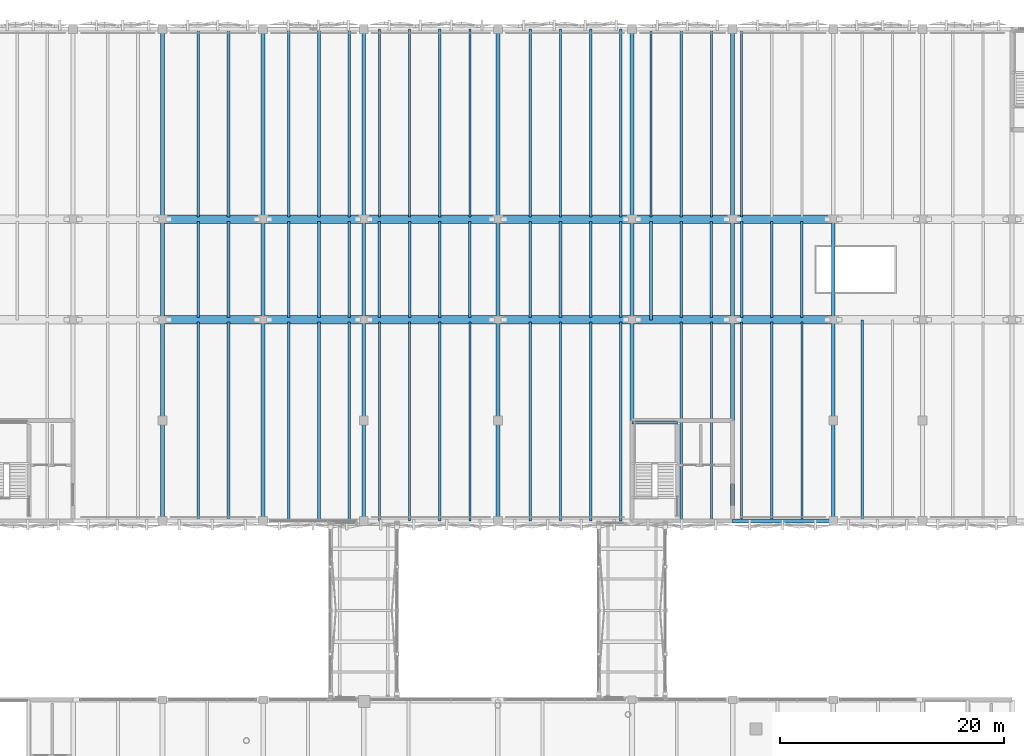
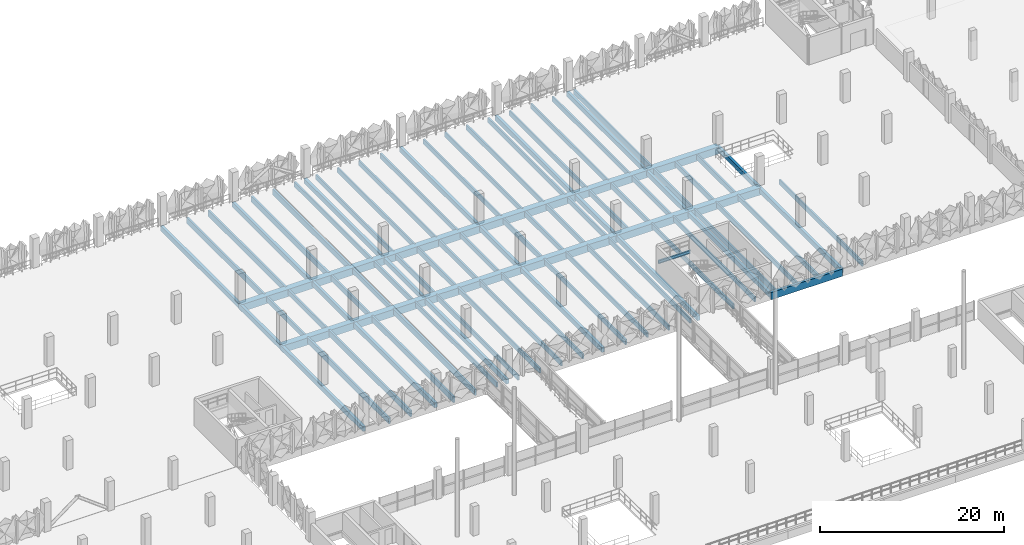
# One storey, part 39 of 123: 89 beams.
"""IFC4 building model written with IfcOpenShell, lengths in metres."""

import ifcopenshell
import ifcopenshell.guid

model = None  # the IFC model being written
_history = None  # IfcOwnerHistory: only IFC2X3 demands one
_inside = {}  # id of a spatial element -> (the spatial element, [elements in it])
_under = {}  # id of a project, library or spatial element -> (it, [spatial elements below it])
_declared = {}  # id of a project -> (the project, [libraries it declares])
_typed = {}  # id of a type object -> (the type object, [elements of that type])
_made_of = {}  # id of a material, layer set ... -> (it, [elements and type objects made of it])


def new_model(schema):
    """Start an empty IFC model of exactly this schema.

    Asked for "IFC4X3", IfcOpenShell would pick the latest addendum, in which some entities
    have other attributes; the version numbers below select the first issue.
    IFC2X3 requires an IfcOwnerHistory on every rooted entity: one is made here for all.
    """
    global model, _history
    if schema == "IFC4X3":
        model = ifcopenshell.file(schema_version=(4, 3, 0, 0))
    else:
        model = ifcopenshell.file(schema=schema)
    _inside.clear()
    _under.clear()
    _declared.clear()
    _typed.clear()
    _made_of.clear()
    _history = None
    if model.schema == "IFC2X3":
        org = make("IfcOrganization", Name="unknown")
        user = make(
            "IfcPersonAndOrganization",
            ThePerson=make("IfcPerson", FamilyName="unknown"),
            TheOrganization=org,
        )
        app = make(
            "IfcApplication",
            ApplicationDeveloper=org,
            Version="unknown",
            ApplicationFullName="unknown",
            ApplicationIdentifier="unknown",
        )
        _history = make(
            "IfcOwnerHistory",
            OwningUser=user,
            OwningApplication=app,
            ChangeAction="ADDED",
            CreationDate=0,
        )
    return model


def make(cls, **values):
    """One entity of the class cls with the attributes given. An attribute that is None is left unset."""
    return model.create_entity(
        cls, **{name: value for name, value in values.items() if value is not None}
    )


def rooted(cls, **values):
    """An entity with a GlobalId (a new one), such as an element, a storey or a relation."""
    return make(cls, GlobalId=ifcopenshell.guid.new(), OwnerHistory=_history, **values)


def si_unit(unit_type, name, prefix=None):
    """IfcSIUnit, for example si_unit("LENGTHUNIT", "METRE", prefix="MILLI")."""
    return make("IfcSIUnit", UnitType=unit_type, Prefix=prefix, Name=name)


def derived_unit(unit_type, elements):
    """IfcDerivedUnit: a product of units, each with its exponent."""
    return make(
        "IfcDerivedUnit",
        Elements=[
            make("IfcDerivedUnitElement", Unit=unit, Exponent=power)
            for unit, power in elements
        ],
        UnitType=unit_type,
    )


def assignment(units):
    """IfcUnitAssignment: the units of a project."""
    return None if units is None else make("IfcUnitAssignment", Units=units)


def point(xyz):
    """IfcCartesianPoint."""
    return None if xyz is None else make("IfcCartesianPoint", Coordinates=xyz)


def direction(xyz):
    """IfcDirection."""
    return None if xyz is None else make("IfcDirection", DirectionRatios=xyz)


def frame(location, z_axis=None, x_axis=None):
    """IfcAxis2Placement3D, a coordinate frame: its origin and axes. An axis left out is left unset."""
    return make(
        "IfcAxis2Placement3D",
        Location=point(location),
        Axis=direction(z_axis),
        RefDirection=direction(x_axis),
    )


def frame_2d(location, x_axis=None):
    """IfcAxis2Placement2D, a coordinate frame in the plane: its origin and x axis."""
    return make(
        "IfcAxis2Placement2D", Location=point(location), RefDirection=direction(x_axis)
    )


def origin():
    """The frame at (0, 0, 0) with its axes left unset."""
    return frame((0.0, 0.0, 0.0))


def origin_2d():
    """The frame at (0, 0) in the plane with its x axis left unset."""
    return frame_2d((0.0, 0.0))


def place(relative_to, where):
    """IfcLocalPlacement: puts the frame where relative to a parent placement (None: the world)."""
    return make(
        "IfcLocalPlacement", PlacementRelTo=relative_to, RelativePlacement=where
    )


def context(
    kind, dimensions, precision=None, world=None, true_north=None, identifier=None
):
    """IfcGeometricRepresentationContext, for example the 3D "Model" context."""
    return make(
        "IfcGeometricRepresentationContext",
        ContextIdentifier=identifier,
        ContextType=kind,
        CoordinateSpaceDimension=dimensions,
        Precision=precision,
        WorldCoordinateSystem=world,
        TrueNorth=true_north,
    )


def subcontext(parent, identifier, kind, view, scale=None):
    """IfcGeometricRepresentationSubContext, for example "Body" below "Model"."""
    return make(
        "IfcGeometricRepresentationSubContext",
        ContextIdentifier=identifier,
        ContextType=kind,
        ParentContext=parent,
        TargetScale=scale,
        TargetView=view,
    )


def project(units=None, contexts=None):
    """IfcProject with its units and contexts."""
    return rooted(
        "IfcProject",
        Name="project",
        RepresentationContexts=contexts,
        UnitsInContext=assignment(units),
    )


def spatial(cls, under=None, at=None, **own):
    """A site, building, storey or space (cls), placed at a placement, below another one or the project."""
    s = rooted(cls, ObjectPlacement=at, **own)
    if under is not None:
        _under.setdefault(under.id(), (under, []))[1].append(s)
    return s


def profile(cls, at=None, kind="AREA", **sizes):
    """A parametric profile (cls). Its sizes go by their IFC names, for example OverallWidth=200.0."""
    return make(cls, ProfileType=kind, Position=at, **sizes)


def rectangle(**sizes):
    """IfcRectangleProfileDef."""
    return profile("IfcRectangleProfileDef", **sizes)


def i_section(**sizes):
    """IfcIShapeProfileDef."""
    return profile("IfcIShapeProfileDef", **sizes)


def extrude(swept, where, along, depth):
    """IfcExtrudedAreaSolid: the profile swept, set in the frame where, extruded along a direction by depth."""
    return make(
        "IfcExtrudedAreaSolid",
        SweptArea=swept,
        Position=where,
        ExtrudedDirection=direction(along),
        Depth=depth,
    )


def shape(context_of_items, identifier, shape_type, items):
    """IfcShapeRepresentation: the items that make up one representation, for example the "Body"."""
    return make(
        "IfcShapeRepresentation",
        ContextOfItems=context_of_items,
        RepresentationIdentifier=identifier,
        RepresentationType=shape_type,
        Items=items,
    )


def material(Name=None, Category=None):
    """IfcMaterial."""
    return make("IfcMaterial", Name=Name, Category=Category)


def material_profile(
    of_material, cross_section, Name=None, Category=None, Priority=None
):
    """IfcMaterialProfile: a cross section and its material."""
    return make(
        "IfcMaterialProfile",
        Name=Name,
        Material=of_material,
        Profile=cross_section,
        Priority=Priority,
        Category=Category,
    )


def profile_set(profiles, Name=None, composite=None):
    """IfcMaterialProfileSet."""
    return make(
        "IfcMaterialProfileSet",
        Name=Name,
        MaterialProfiles=profiles,
        CompositeProfile=composite,
    )


def made_of(thing, what):
    """Note that an element or type object is made of a material, layer set ...; save() writes the relation."""
    if what is not None:
        _made_of.setdefault(what.id(), (what, []))[1].append(thing)
    return thing


def type_object(cls, material=None, **own):
    """A type object (cls), such as IfcWallType, which elements share."""
    return made_of(rooted(cls, **own), material)


def element(
    cls,
    number,
    at=None,
    inside=None,
    cuts=None,
    type_object=None,
    material=None,
    context=None,
    identifier="Body",
    shape_type=None,
    held_by="IfcProductDefinitionShape",
    body=None,
    shapes=None,
    **own,
):
    """One element of the class cls, such as IfcWall. Its Tag is "e" and its number.

    at: its placement. inside: the storey or other place that contains it. cuts: it is an
    opening in that element (IfcRelVoidsElement). A single representation is given by context,
    identifier, shape_type and body (its items); several are given by shapes. held_by: the class
    of the entity that holds the representations. save() writes the other relations.
    """
    e = rooted(cls, Tag="e%d" % number, ObjectPlacement=at, **own)
    if body is not None:
        shapes = [shape(context, identifier, shape_type, body)]
    if shapes is not None:
        e.Representation = make(held_by, Representations=shapes)
    if inside is not None:
        _inside.setdefault(inside.id(), (inside, []))[1].append(e)
    if cuts is not None:
        rooted(
            "IfcRelVoidsElement", RelatingBuildingElement=cuts, RelatedOpeningElement=e
        )
    if type_object is not None:
        _typed.setdefault(type_object.id(), (type_object, []))[1].append(e)
    return made_of(e, material)


def aggregate(whole, parts):
    """IfcRelAggregates: a whole, such as a stair, and the parts it consists of."""
    return rooted("IfcRelAggregates", RelatingObject=whole, RelatedObjects=parts)


def save(model, path):
    """Write the relations noted so far, then the file.

    IfcRelAggregates (storeys below a building ...), IfcRelContainedInSpatialStructure (elements
    in a storey), IfcRelDefinesByType, IfcRelAssociatesMaterial and IfcRelDeclares: one each for
    every whole, place, type object, material and project.
    """
    for whole, parts in _under.values():
        aggregate(whole, parts)
    for where, things in _inside.values():
        rooted(
            "IfcRelContainedInSpatialStructure",
            RelatedElements=things,
            RelatingStructure=where,
        )
    for kind, things in _typed.values():
        rooted("IfcRelDefinesByType", RelatedObjects=things, RelatingType=kind)
    for what, things in _made_of.values():
        rooted("IfcRelAssociatesMaterial", RelatedObjects=things, RelatingMaterial=what)
    for by, libraries in _declared.values():
        rooted("IfcRelDeclares", RelatingContext=by, RelatedDefinitions=libraries)
    model.write(path)


model = new_model("IFC4")

# Units and contexts
model_context = context("Model", 3, precision=1e-05, world=origin(), true_north=direction((0.0, 1.0)))
body_context = subcontext(model_context, "Body", "Model", "MODEL_VIEW")
ifc_project = project(units=[si_unit("LENGTHUNIT", "METRE"), si_unit("AREAUNIT", "SQUARE_METRE"), si_unit("VOLUMEUNIT", "CUBIC_METRE"), si_unit("PLANEANGLEUNIT", "RADIAN"), si_unit("MASSUNIT", "GRAM", prefix="KILO"), si_unit("THERMODYNAMICTEMPERATUREUNIT", "KELVIN"), derived_unit("THERMALTRANSMITTANCEUNIT", [(si_unit("POWERUNIT", "WATT"), 1), (si_unit("AREAUNIT", "SQUARE_METRE"), -1), (si_unit("THERMODYNAMICTEMPERATUREUNIT", "KELVIN"), -1)])], contexts=[model_context])

# Site, building, storey
site_placement = place(None, origin())
site = spatial("IfcSite", under=ifc_project, at=site_placement, CompositionType="ELEMENT")
building_placement = place(site_placement, origin())
building = spatial("IfcBuilding", under=site, at=building_placement, Name="Haiyu Intermodal Mobility Hub", CompositionType="ELEMENT")
storey_placement = place(building_placement, frame((0.0, 0.0, 5.60009765625)))
storey = spatial("IfcBuildingStorey", under=building, at=storey_placement, Name="L01", CompositionType="ELEMENT", Elevation=5.60009765625)

# Beams
ifc_material_1 = material(Name="Concrete C40", Category="concrete")
ifc_material_profile_1 = material_profile(ifc_material_1, rectangle(XDim=0.35009765625, YDim=0.64990234375, at=origin_2d()), Name="RCB350x650")
ifc_profile_set_1 = profile_set([ifc_material_profile_1], Name="Concrete C40")
beam_type_1 = type_object("IfcBeamType", Name="BM-CB04", PredefinedType="BEAM", material=ifc_profile_set_1)
beam_1_placement = place(storey_placement, frame((78.0, 104.0, -0.60009765625), z_axis=(0.0, 1.0, 0.0), x_axis=(-1.0, 0.0, 0.0)))
element("IfcBeam", 1, at=beam_1_placement, inside=storey, type_object=beam_type_1, Name="BM-V4E-L01-022", PredefinedType="BEAM", context=body_context, shape_type="SweptSolid", body=[
    extrude(rectangle(XDim=0.35009765625, YDim=0.64990234375, at=origin_2d()), origin(), (0.0, 0.0, 1.0), 18.0),
])
beam_2_placement = place(storey_placement, frame((78.0, 122.0, -0.60009765625), z_axis=(0.0, 1.0, 0.0), x_axis=(-1.0, 0.0, 0.0)))
element("IfcBeam", 2, at=beam_2_placement, inside=storey, type_object=beam_type_1, Name="BM-V4E-L01-023", PredefinedType="BEAM", context=body_context, shape_type="SweptSolid", body=[
    extrude(rectangle(XDim=0.35009765625, YDim=0.64990234375, at=origin_2d()), origin(), (0.0, 0.0, 1.0), 9.0),
])
beam_3_placement = place(storey_placement, frame((78.0, 131.0, -0.60009765625), z_axis=(0.0, 1.0, 0.0), x_axis=(-1.0, 0.0, 0.0)))
element("IfcBeam", 3, at=beam_3_placement, inside=storey, type_object=beam_type_1, Name="BM-V4E-L01-024", PredefinedType="BEAM", context=body_context, shape_type="SweptSolid", body=[
    extrude(rectangle(XDim=0.35009765625, YDim=0.64990234375, at=origin_2d()), origin(), (0.0, 0.0, 1.0), 17.0),
])
beam_4_placement = place(storey_placement, frame((87.0, 104.0, -0.60009765625), z_axis=(0.0, 1.0, 0.0), x_axis=(-1.0, 0.0, 0.0)))
element("IfcBeam", 4, at=beam_4_placement, inside=storey, type_object=beam_type_1, Name="BM-V4E-L01-025", PredefinedType="BEAM", context=body_context, shape_type="SweptSolid", body=[
    extrude(rectangle(XDim=0.35009765625, YDim=0.64990234375, at=origin_2d()), origin(), (0.0, 0.0, 1.0), 18.0),
])
beam_5_placement = place(storey_placement, frame((87.0, 122.0, -0.60009765625), z_axis=(0.0, 1.0, 0.0), x_axis=(-1.0, 0.0, 0.0)))
element("IfcBeam", 5, at=beam_5_placement, inside=storey, type_object=beam_type_1, Name="BM-V4E-L01-026", PredefinedType="BEAM", context=body_context, shape_type="SweptSolid", body=[
    extrude(rectangle(XDim=0.35009765625, YDim=0.64990234375, at=origin_2d()), origin(), (0.0, 0.0, 1.0), 9.0),
])
beam_6_placement = place(storey_placement, frame((87.0, 131.0, -0.60009765625), z_axis=(0.0, 1.0, 0.0), x_axis=(-1.0, 0.0, 0.0)))
element("IfcBeam", 6, at=beam_6_placement, inside=storey, type_object=beam_type_1, Name="BM-V4E-L01-027", PredefinedType="BEAM", context=body_context, shape_type="SweptSolid", body=[
    extrude(rectangle(XDim=0.35009765625, YDim=0.64990234375, at=origin_2d()), origin(), (0.0, 0.0, 1.0), 17.0),
])
beam_7_placement = place(storey_placement, frame((96.0, 104.0, -0.60009765625), z_axis=(0.0, 1.0, 0.0), x_axis=(-1.0, 0.0, 0.0)))
element("IfcBeam", 7, at=beam_7_placement, inside=storey, type_object=beam_type_1, Name="BM-V4E-L01-028", PredefinedType="BEAM", context=body_context, shape_type="SweptSolid", body=[
    extrude(rectangle(XDim=0.35009765625, YDim=0.64990234375, at=origin_2d()), origin(), (0.0, 0.0, 1.0), 18.0),
])
beam_8_placement = place(storey_placement, frame((96.0, 122.0, -0.60009765625), z_axis=(0.0, 1.0, 0.0), x_axis=(-1.0, 0.0, 0.0)))
element("IfcBeam", 8, at=beam_8_placement, inside=storey, type_object=beam_type_1, Name="BM-V4E-L01-029", PredefinedType="BEAM", context=body_context, shape_type="SweptSolid", body=[
    extrude(rectangle(XDim=0.35009765625, YDim=0.64990234375, at=origin_2d()), origin(), (0.0, 0.0, 1.0), 9.0),
])
beam_9_placement = place(storey_placement, frame((96.0, 131.0, -0.60009765625), z_axis=(0.0, 1.0, 0.0), x_axis=(-1.0, 0.0, 0.0)))
element("IfcBeam", 9, at=beam_9_placement, inside=storey, type_object=beam_type_1, Name="BM-V4E-L01-030", PredefinedType="BEAM", context=body_context, shape_type="SweptSolid", body=[
    extrude(rectangle(XDim=0.35009765625, YDim=0.64990234375, at=origin_2d()), origin(), (0.0, 0.0, 1.0), 17.0),
])
beam_10_placement = place(storey_placement, frame((108.0, 104.0, -0.60009765625), z_axis=(0.0, 1.0, 0.0), x_axis=(-1.0, 0.0, 0.0)))
element("IfcBeam", 10, at=beam_10_placement, inside=storey, type_object=beam_type_1, Name="BM-V4E-L01-031", PredefinedType="BEAM", context=body_context, shape_type="SweptSolid", body=[
    extrude(rectangle(XDim=0.35009765625, YDim=0.64990234375, at=origin_2d()), origin(), (0.0, 0.0, 1.0), 18.0),
])
beam_11_placement = place(storey_placement, frame((108.0, 122.0, -0.60009765625), z_axis=(0.0, 1.0, 0.0), x_axis=(-1.0, 0.0, 0.0)))
element("IfcBeam", 11, at=beam_11_placement, inside=storey, type_object=beam_type_1, Name="BM-V4E-L01-032", PredefinedType="BEAM", context=body_context, shape_type="SweptSolid", body=[
    extrude(rectangle(XDim=0.35009765625, YDim=0.64990234375, at=origin_2d()), origin(), (0.0, 0.0, 1.0), 9.0),
])
beam_12_placement = place(storey_placement, frame((108.0, 131.0, -0.60009765625), z_axis=(0.0, 1.0, 0.0), x_axis=(-1.0, 0.0, 0.0)))
element("IfcBeam", 12, at=beam_12_placement, inside=storey, type_object=beam_type_1, Name="BM-V4E-L01-033", PredefinedType="BEAM", context=body_context, shape_type="SweptSolid", body=[
    extrude(rectangle(XDim=0.35009765625, YDim=0.64990234375, at=origin_2d()), origin(), (0.0, 0.0, 1.0), 17.0),
])
beam_13_placement = place(storey_placement, frame((120.0, 104.0, -0.60009765625), z_axis=(0.0, 1.0, 0.0), x_axis=(-1.0, 0.0, 0.0)))
element("IfcBeam", 13, at=beam_13_placement, inside=storey, type_object=beam_type_1, Name="BM-V4E-L01-034", PredefinedType="BEAM", context=body_context, shape_type="SweptSolid", body=[
    extrude(rectangle(XDim=0.35009765625, YDim=0.64990234375, at=origin_2d()), origin(), (0.0, 0.0, 1.0), 18.0),
])
beam_14_placement = place(storey_placement, frame((120.0, 122.0, -0.60009765625), z_axis=(0.0, 1.0, 0.0), x_axis=(-1.0, 0.0, 0.0)))
element("IfcBeam", 14, at=beam_14_placement, inside=storey, type_object=beam_type_1, Name="BM-V4E-L01-035", PredefinedType="BEAM", context=body_context, shape_type="SweptSolid", body=[
    extrude(rectangle(XDim=0.35009765625, YDim=0.64990234375, at=origin_2d()), origin(), (0.0, 0.0, 1.0), 9.0),
])
beam_15_placement = place(storey_placement, frame((120.0, 131.0, -0.60009765625), z_axis=(0.0, 1.0, 0.0), x_axis=(-1.0, 0.0, 0.0)))
element("IfcBeam", 15, at=beam_15_placement, inside=storey, type_object=beam_type_1, Name="BM-V4E-L01-036", PredefinedType="BEAM", context=body_context, shape_type="SweptSolid", body=[
    extrude(rectangle(XDim=0.35009765625, YDim=0.64990234375, at=origin_2d()), origin(), (0.0, 0.0, 1.0), 17.0),
])
beam_16_placement = place(storey_placement, frame((129.0, 104.0, -0.60009765625), z_axis=(0.0, 1.0, 0.0), x_axis=(-1.0, 0.0, 0.0)))
element("IfcBeam", 16, at=beam_16_placement, inside=storey, type_object=beam_type_1, Name="BM-V4E-L01-037", PredefinedType="BEAM", context=body_context, shape_type="SweptSolid", body=[
    extrude(rectangle(XDim=0.35009765625, YDim=0.64990234375, at=origin_2d()), origin(), (0.0, 0.0, 1.0), 18.0),
])
beam_17_placement = place(storey_placement, frame((129.0, 122.0, -0.60009765625), z_axis=(0.0, 1.0, 0.0), x_axis=(-1.0, 0.0, 0.0)))
element("IfcBeam", 17, at=beam_17_placement, inside=storey, type_object=beam_type_1, Name="BM-V4E-L01-038", PredefinedType="BEAM", context=body_context, shape_type="SweptSolid", body=[
    extrude(rectangle(XDim=0.35009765625, YDim=0.64990234375, at=origin_2d()), origin(), (0.0, 0.0, 1.0), 9.0),
])
beam_18_placement = place(storey_placement, frame((129.0, 131.0, -0.60009765625), z_axis=(0.0, 1.0, 0.0), x_axis=(-1.0, 0.0, 0.0)))
element("IfcBeam", 18, at=beam_18_placement, inside=storey, type_object=beam_type_1, Name="BM-V4E-L01-039", PredefinedType="BEAM", context=body_context, shape_type="SweptSolid", body=[
    extrude(rectangle(XDim=0.35009765625, YDim=0.64990234375, at=origin_2d()), origin(), (0.0, 0.0, 1.0), 17.0),
])
beam_19_placement = place(storey_placement, frame((138.0, 104.0, -0.60009765625), z_axis=(0.0, 1.0, 0.0), x_axis=(-1.0, 0.0, 0.0)))
element("IfcBeam", 19, at=beam_19_placement, inside=storey, type_object=beam_type_1, Name="BM-V4E-L01-040", PredefinedType="BEAM", context=body_context, shape_type="SweptSolid", body=[
    extrude(rectangle(XDim=0.35009765625, YDim=0.64990234375, at=origin_2d()), origin(), (0.0, 0.0, 1.0), 18.0),
])
beam_20_placement = place(storey_placement, frame((138.0, 122.0, -0.60009765625), z_axis=(0.0, 1.0, 0.0), x_axis=(-1.0, 0.0, 0.0)))
element("IfcBeam", 20, at=beam_20_placement, inside=storey, type_object=beam_type_1, Name="BM-V4E-L01-041", PredefinedType="BEAM", context=body_context, shape_type="SweptSolid", body=[
    extrude(rectangle(XDim=0.35009765625, YDim=0.64990234375, at=origin_2d()), origin(), (0.0, 0.0, 1.0), 9.0),
])
ifc_material_2 = material(Name="Precast concrete C50", Category="concrete")
ifc_material_profile_2 = material_profile(ifc_material_2, rectangle(XDim=0.239990234375, YDim=0.780029296875, at=origin_2d()), Name="PC240x780")
ifc_profile_set_2 = profile_set([ifc_material_profile_2], Name="Precast concrete C50")
beam_type_2 = type_object("IfcBeamType", Name="BM-DT01", PredefinedType="JOIST", material=ifc_profile_set_2)
beam_21_placement = place(storey_placement, frame((81.199951171875, 104.0, -0.6650390625), z_axis=(0.0, 1.0, 0.0), x_axis=(-1.0, 0.0, 0.0)))
element("IfcBeam", 21, at=beam_21_placement, inside=storey, type_object=beam_type_2, Name="BM-DT-L01-041", PredefinedType="JOIST", context=body_context, shape_type="SweptSolid", body=[
    extrude(rectangle(XDim=0.239990234375, YDim=0.780029296875, at=origin_2d()), origin(), (0.0, 0.0, 1.0), 17.804931640625),
])
beam_22_placement = place(storey_placement, frame((81.199951171875, 131.195068359375, -0.6650390625), z_axis=(0.0, 1.0, 0.0), x_axis=(-1.0, 0.0, 0.0)))
element("IfcBeam", 22, at=beam_22_placement, inside=storey, type_object=beam_type_2, Name="BM-DT-L01-043", PredefinedType="JOIST", context=body_context, shape_type="SweptSolid", body=[
    extrude(rectangle(XDim=0.239990234375, YDim=0.780029296875, at=origin_2d()), origin(), (0.0, 0.0, 1.0), 16.804931640625),
])
beam_23_placement = place(storey_placement, frame((83.89990234375, 104.0, -0.6650390625), z_axis=(0.0, 1.0, 0.0), x_axis=(-1.0, 0.0, 0.0)))
element("IfcBeam", 23, at=beam_23_placement, inside=storey, type_object=beam_type_2, Name="BM-DT-L01-044", PredefinedType="JOIST", context=body_context, shape_type="SweptSolid", body=[
    extrude(rectangle(XDim=0.239990234375, YDim=0.780029296875, at=origin_2d()), origin(), (0.0, 0.0, 1.0), 17.804931640625),
])
beam_24_placement = place(storey_placement, frame((83.89990234375, 131.195068359375, -0.6650390625), z_axis=(0.0, 1.0, 0.0), x_axis=(-1.0, 0.0, 0.0)))
element("IfcBeam", 24, at=beam_24_placement, inside=storey, type_object=beam_type_2, Name="BM-DT-L01-046", PredefinedType="JOIST", context=body_context, shape_type="SweptSolid", body=[
    extrude(rectangle(XDim=0.239990234375, YDim=0.780029296875, at=origin_2d()), origin(), (0.0, 0.0, 1.0), 16.804931640625),
])
beam_25_placement = place(storey_placement, frame((89.300048828125, 104.0, -0.6650390625), z_axis=(0.0, 1.0, 0.0), x_axis=(-1.0, 0.0, 0.0)))
element("IfcBeam", 25, at=beam_25_placement, inside=storey, type_object=beam_type_2, Name="BM-DT-L01-047", PredefinedType="JOIST", context=body_context, shape_type="SweptSolid", body=[
    extrude(rectangle(XDim=0.239990234375, YDim=0.780029296875, at=origin_2d()), origin(), (0.0, 0.0, 1.0), 17.804931640625),
])
beam_26_placement = place(storey_placement, frame((89.300048828125, 131.195068359375, -0.6650390625), z_axis=(0.0, 1.0, 0.0), x_axis=(-1.0, 0.0, 0.0)))
element("IfcBeam", 26, at=beam_26_placement, inside=storey, type_object=beam_type_2, Name="BM-DT-L01-049", PredefinedType="JOIST", context=body_context, shape_type="SweptSolid", body=[
    extrude(rectangle(XDim=0.239990234375, YDim=0.780029296875, at=origin_2d()), origin(), (0.0, 0.0, 1.0), 16.804931640625),
])
beam_27_placement = place(storey_placement, frame((92.0, 104.0, -0.6650390625), z_axis=(0.0, 1.0, 0.0), x_axis=(-1.0, 0.0, 0.0)))
element("IfcBeam", 27, at=beam_27_placement, inside=storey, type_object=beam_type_2, Name="BM-DT-L01-050", PredefinedType="JOIST", context=body_context, shape_type="SweptSolid", body=[
    extrude(rectangle(XDim=0.239990234375, YDim=0.780029296875, at=origin_2d()), origin(), (0.0, 0.0, 1.0), 17.804931640625),
])
beam_28_placement = place(storey_placement, frame((92.0, 131.195068359375, -0.6650390625), z_axis=(0.0, 1.0, 0.0), x_axis=(-1.0, 0.0, 0.0)))
element("IfcBeam", 28, at=beam_28_placement, inside=storey, type_object=beam_type_2, Name="BM-DT-L01-052", PredefinedType="JOIST", context=body_context, shape_type="SweptSolid", body=[
    extrude(rectangle(XDim=0.239990234375, YDim=0.780029296875, at=origin_2d()), origin(), (0.0, 0.0, 1.0), 16.804931640625),
])
ifc_material_profile_3 = material_profile(ifc_material_2, rectangle(XDim=0.199951171875, YDim=0.659912109375, at=origin_2d()), Name="PC200x660")
ifc_profile_set_3 = profile_set([ifc_material_profile_3], Name="Precast concrete C50")
beam_type_3 = type_object("IfcBeamType", Name="BM-DT03", PredefinedType="JOIST", material=ifc_profile_set_3)
beam_29_placement = place(storey_placement, frame((94.699951171875, 104.0, -0.60498046875), z_axis=(0.0, 1.0, 0.0), x_axis=(-1.0, 0.0, 0.0)))
element("IfcBeam", 29, at=beam_29_placement, inside=storey, type_object=beam_type_3, Name="BM-DT-L01-053", PredefinedType="JOIST", context=body_context, shape_type="SweptSolid", body=[
    extrude(rectangle(XDim=0.199951171875, YDim=0.659912109375, at=origin_2d()), origin(), (0.0, 0.0, 1.0), 17.804931640625),
])
beam_30_placement = place(storey_placement, frame((94.699951171875, 131.195068359375, -0.60498046875), z_axis=(0.0, 1.0, 0.0), x_axis=(-1.0, 0.0, 0.0)))
element("IfcBeam", 30, at=beam_30_placement, inside=storey, type_object=beam_type_3, Name="BM-DT-L01-055", PredefinedType="JOIST", context=body_context, shape_type="SweptSolid", body=[
    extrude(rectangle(XDim=0.199951171875, YDim=0.659912109375, at=origin_2d()), origin(), (0.0, 0.0, 1.0), 16.804931640625),
])
beam_31_placement = place(storey_placement, frame((97.39990234375, 104.0, -0.60498046875), z_axis=(0.0, 1.0, 0.0), x_axis=(-1.0, 0.0, 0.0)))
element("IfcBeam", 31, at=beam_31_placement, inside=storey, type_object=beam_type_3, Name="BM-DT-L01-056", PredefinedType="JOIST", context=body_context, shape_type="SweptSolid", body=[
    extrude(rectangle(XDim=0.199951171875, YDim=0.659912109375, at=origin_2d()), origin(), (0.0, 0.0, 1.0), 17.804931640625),
])
beam_32_placement = place(storey_placement, frame((97.39990234375, 131.195068359375, -0.60498046875), z_axis=(0.0, 1.0, 0.0), x_axis=(-1.0, 0.0, 0.0)))
element("IfcBeam", 32, at=beam_32_placement, inside=storey, type_object=beam_type_3, Name="BM-DT-L01-058", PredefinedType="JOIST", context=body_context, shape_type="SweptSolid", body=[
    extrude(rectangle(XDim=0.199951171875, YDim=0.659912109375, at=origin_2d()), origin(), (0.0, 0.0, 1.0), 16.804931640625),
])
beam_33_placement = place(storey_placement, frame((100.10009765625, 104.0, -0.60498046875), z_axis=(0.0, 1.0, 0.0), x_axis=(-1.0, 0.0, 0.0)))
element("IfcBeam", 33, at=beam_33_placement, inside=storey, type_object=beam_type_3, Name="BM-DT-L01-059", PredefinedType="JOIST", context=body_context, shape_type="SweptSolid", body=[
    extrude(rectangle(XDim=0.199951171875, YDim=0.659912109375, at=origin_2d()), origin(), (0.0, 0.0, 1.0), 17.804931640625),
])
beam_34_placement = place(storey_placement, frame((100.10009765625, 131.195068359375, -0.60498046875), z_axis=(0.0, 1.0, 0.0), x_axis=(-1.0, 0.0, 0.0)))
element("IfcBeam", 34, at=beam_34_placement, inside=storey, type_object=beam_type_3, Name="BM-DT-L01-061", PredefinedType="JOIST", context=body_context, shape_type="SweptSolid", body=[
    extrude(rectangle(XDim=0.199951171875, YDim=0.659912109375, at=origin_2d()), origin(), (0.0, 0.0, 1.0), 16.804931640625),
])
beam_35_placement = place(storey_placement, frame((102.800048828125, 104.0, -0.60498046875), z_axis=(0.0, 1.0, 0.0), x_axis=(-1.0, 0.0, 0.0)))
element("IfcBeam", 35, at=beam_35_placement, inside=storey, type_object=beam_type_3, Name="BM-DT-L01-062", PredefinedType="JOIST", context=body_context, shape_type="SweptSolid", body=[
    extrude(rectangle(XDim=0.199951171875, YDim=0.659912109375, at=origin_2d()), origin(), (0.0, 0.0, 1.0), 17.804931640625),
])
beam_36_placement = place(storey_placement, frame((102.800048828125, 131.195068359375, -0.60498046875), z_axis=(0.0, 1.0, 0.0), x_axis=(-1.0, 0.0, 0.0)))
element("IfcBeam", 36, at=beam_36_placement, inside=storey, type_object=beam_type_3, Name="BM-DT-L01-064", PredefinedType="JOIST", context=body_context, shape_type="SweptSolid", body=[
    extrude(rectangle(XDim=0.199951171875, YDim=0.659912109375, at=origin_2d()), origin(), (0.0, 0.0, 1.0), 16.804931640625),
])
beam_37_placement = place(storey_placement, frame((105.5, 104.0, -0.60498046875), z_axis=(0.0, 1.0, 0.0), x_axis=(-1.0, 0.0, 0.0)))
element("IfcBeam", 37, at=beam_37_placement, inside=storey, type_object=beam_type_3, Name="BM-DT-L01-065", PredefinedType="JOIST", context=body_context, shape_type="SweptSolid", body=[
    extrude(rectangle(XDim=0.199951171875, YDim=0.659912109375, at=origin_2d()), origin(), (0.0, 0.0, 1.0), 17.804931640625),
])
beam_38_placement = place(storey_placement, frame((105.5, 131.195068359375, -0.60498046875), z_axis=(0.0, 1.0, 0.0), x_axis=(-1.0, 0.0, 0.0)))
element("IfcBeam", 38, at=beam_38_placement, inside=storey, type_object=beam_type_3, Name="BM-DT-L01-067", PredefinedType="JOIST", context=body_context, shape_type="SweptSolid", body=[
    extrude(rectangle(XDim=0.199951171875, YDim=0.659912109375, at=origin_2d()), origin(), (0.0, 0.0, 1.0), 16.804931640625),
])
beam_39_placement = place(storey_placement, frame((110.89990234375, 104.0, -0.60498046875), z_axis=(0.0, 1.0, 0.0), x_axis=(-1.0, 0.0, 0.0)))
element("IfcBeam", 39, at=beam_39_placement, inside=storey, type_object=beam_type_3, Name="BM-DT-L01-068", PredefinedType="JOIST", context=body_context, shape_type="SweptSolid", body=[
    extrude(rectangle(XDim=0.199951171875, YDim=0.659912109375, at=origin_2d()), origin(), (0.0, 0.0, 1.0), 17.804931640625),
])
beam_40_placement = place(storey_placement, frame((110.89990234375, 131.195068359375, -0.60498046875), z_axis=(0.0, 1.0, 0.0), x_axis=(-1.0, 0.0, 0.0)))
element("IfcBeam", 40, at=beam_40_placement, inside=storey, type_object=beam_type_3, Name="BM-DT-L01-070", PredefinedType="JOIST", context=body_context, shape_type="SweptSolid", body=[
    extrude(rectangle(XDim=0.199951171875, YDim=0.659912109375, at=origin_2d()), origin(), (0.0, 0.0, 1.0), 16.804931640625),
])
beam_41_placement = place(storey_placement, frame((113.60009765625, 104.0, -0.60498046875), z_axis=(0.0, 1.0, 0.0), x_axis=(-1.0, 0.0, 0.0)))
element("IfcBeam", 41, at=beam_41_placement, inside=storey, type_object=beam_type_3, Name="BM-DT-L01-071", PredefinedType="JOIST", context=body_context, shape_type="SweptSolid", body=[
    extrude(rectangle(XDim=0.199951171875, YDim=0.659912109375, at=origin_2d()), origin(), (0.0, 0.0, 1.0), 17.804931640625),
])
beam_42_placement = place(storey_placement, frame((113.60009765625, 131.195068359375, -0.60498046875), z_axis=(0.0, 1.0, 0.0), x_axis=(-1.0, 0.0, 0.0)))
element("IfcBeam", 42, at=beam_42_placement, inside=storey, type_object=beam_type_3, Name="BM-DT-L01-073", PredefinedType="JOIST", context=body_context, shape_type="SweptSolid", body=[
    extrude(rectangle(XDim=0.199951171875, YDim=0.659912109375, at=origin_2d()), origin(), (0.0, 0.0, 1.0), 16.804931640625),
])
beam_43_placement = place(storey_placement, frame((116.300048828125, 104.0, -0.60498046875), z_axis=(0.0, 1.0, 0.0), x_axis=(-1.0, 0.0, 0.0)))
element("IfcBeam", 43, at=beam_43_placement, inside=storey, type_object=beam_type_3, Name="BM-DT-L01-074", PredefinedType="JOIST", context=body_context, shape_type="SweptSolid", body=[
    extrude(rectangle(XDim=0.199951171875, YDim=0.659912109375, at=origin_2d()), origin(), (0.0, 0.0, 1.0), 17.804931640625),
])
beam_44_placement = place(storey_placement, frame((116.300048828125, 131.195068359375, -0.60498046875), z_axis=(0.0, 1.0, 0.0), x_axis=(-1.0, 0.0, 0.0)))
element("IfcBeam", 44, at=beam_44_placement, inside=storey, type_object=beam_type_3, Name="BM-DT-L01-076", PredefinedType="JOIST", context=body_context, shape_type="SweptSolid", body=[
    extrude(rectangle(XDim=0.199951171875, YDim=0.659912109375, at=origin_2d()), origin(), (0.0, 0.0, 1.0), 16.804931640625),
])
beam_45_placement = place(storey_placement, frame((119.0, 104.0, -0.60498046875), z_axis=(0.0, 1.0, 0.0), x_axis=(-1.0, 0.0, 0.0)))
element("IfcBeam", 45, at=beam_45_placement, inside=storey, type_object=beam_type_3, Name="BM-DT-L01-077", PredefinedType="JOIST", context=body_context, shape_type="SweptSolid", body=[
    extrude(rectangle(XDim=0.199951171875, YDim=0.659912109375, at=origin_2d()), origin(), (0.0, 0.0, 1.0), 17.804931640625),
])
for number, where, z_axis, x_axis, name in (
    (46, (119.0, 131.195068359375, -0.60498046875), (0.0, 1.0, 0.0), (-1.0, 0.0, 0.0), "BM-DT-L01-079"),
    (47, (121.699951171875, 131.195068359375, -0.60498046875), (0.0, 1.0, 0.0), (-1.0, 0.0, 0.0), "BM-DT-L01-082"),
):
    element("IfcBeam", number, at=place(storey_placement, frame(where, z_axis=z_axis, x_axis=x_axis)), inside=storey, type_object=beam_type_3, Name=name, PredefinedType="JOIST", context=body_context, shape_type="SweptSolid", body=[
        extrude(rectangle(XDim=0.199951171875, YDim=0.659912109375, at=origin_2d()), origin(), (0.0, 0.0, 1.0), 16.804931640625),
    ])
beam_46_placement = place(storey_placement, frame((124.39990234375, 104.0, -0.60498046875), z_axis=(0.0, 1.0, 0.0), x_axis=(-1.0, 0.0, 0.0)))
element("IfcBeam", 48, at=beam_46_placement, inside=storey, type_object=beam_type_3, Name="BM-DT-L01-083", PredefinedType="JOIST", context=body_context, shape_type="SweptSolid", body=[
    extrude(rectangle(XDim=0.199951171875, YDim=0.659912109375, at=origin_2d()), origin(), (0.0, 0.0, 1.0), 17.804931640625),
])
beam_47_placement = place(storey_placement, frame((124.39990234375, 131.195068359375, -0.60498046875), z_axis=(0.0, 1.0, 0.0), x_axis=(-1.0, 0.0, 0.0)))
element("IfcBeam", 49, at=beam_47_placement, inside=storey, type_object=beam_type_3, Name="BM-DT-L01-085", PredefinedType="JOIST", context=body_context, shape_type="SweptSolid", body=[
    extrude(rectangle(XDim=0.199951171875, YDim=0.659912109375, at=origin_2d()), origin(), (0.0, 0.0, 1.0), 16.804931640625),
])
beam_48_placement = place(storey_placement, frame((127.10009765625, 104.0, -0.60498046875), z_axis=(0.0, 1.0, 0.0), x_axis=(-1.0, 0.0, 0.0)))
element("IfcBeam", 50, at=beam_48_placement, inside=storey, type_object=beam_type_3, Name="BM-DT-L01-086", PredefinedType="JOIST", context=body_context, shape_type="SweptSolid", body=[
    extrude(rectangle(XDim=0.199951171875, YDim=0.659912109375, at=origin_2d()), origin(), (0.0, 0.0, 1.0), 17.804931640625),
])
beam_49_placement = place(storey_placement, frame((127.10009765625, 131.195068359375, -0.60498046875), z_axis=(0.0, 1.0, 0.0), x_axis=(-1.0, 0.0, 0.0)))
element("IfcBeam", 51, at=beam_49_placement, inside=storey, type_object=beam_type_3, Name="BM-DT-L01-088", PredefinedType="JOIST", context=body_context, shape_type="SweptSolid", body=[
    extrude(rectangle(XDim=0.199951171875, YDim=0.659912109375, at=origin_2d()), origin(), (0.0, 0.0, 1.0), 16.804931640625),
])
beam_50_placement = place(storey_placement, frame((129.800048828125, 104.0, -0.60498046875), z_axis=(0.0, 1.0, 0.0), x_axis=(-1.0, 0.0, 0.0)))
element("IfcBeam", 52, at=beam_50_placement, inside=storey, type_object=beam_type_3, Name="BM-DT-L01-089", PredefinedType="JOIST", context=body_context, shape_type="SweptSolid", body=[
    extrude(rectangle(XDim=0.199951171875, YDim=0.659912109375, at=origin_2d()), origin(), (0.0, 0.0, 1.0), 17.804931640625),
])
beam_51_placement = place(storey_placement, frame((129.800048828125, 131.195068359375, -0.60498046875), z_axis=(0.0, 1.0, 0.0), x_axis=(-1.0, 0.0, 0.0)))
element("IfcBeam", 53, at=beam_51_placement, inside=storey, type_object=beam_type_3, Name="BM-DT-L01-091", PredefinedType="JOIST", context=body_context, shape_type="SweptSolid", body=[
    extrude(rectangle(XDim=0.199951171875, YDim=0.659912109375, at=origin_2d()), origin(), (0.0, 0.0, 1.0), 16.804931640625),
])
for number, where, z_axis, x_axis, name in (
    (54, (132.5, 104.0, -0.60498046875), (0.0, 1.0, 0.0), (-1.0, 0.0, 0.0), "BM-DT-L01-092"),
    (55, (135.199951171875, 104.0, -0.60498046875), (0.0, 1.0, 0.0), (-1.0, 0.0, 0.0), "BM-DT-L01-095"),
):
    element("IfcBeam", number, at=place(storey_placement, frame(where, z_axis=z_axis, x_axis=x_axis)), inside=storey, type_object=beam_type_3, Name=name, PredefinedType="JOIST", context=body_context, shape_type="SweptSolid", body=[
        extrude(rectangle(XDim=0.199951171875, YDim=0.659912109375, at=origin_2d()), origin(), (0.0, 0.0, 1.0), 17.804931640625),
    ])
beam_52_placement = place(storey_placement, frame((140.60009765625, 104.0, -0.60498046875), z_axis=(0.0, 1.0, 0.0), x_axis=(-1.0, 0.0, 0.0)))
element("IfcBeam", 56, at=beam_52_placement, inside=storey, type_object=beam_type_3, Name="BM-DT-L01-098", PredefinedType="JOIST", context=body_context, shape_type="SweptSolid", body=[
    extrude(rectangle(XDim=0.199951171875, YDim=0.659912109375, at=origin_2d()), origin(), (0.0, 0.0, 1.0), 18.0),
])
ifc_material_profile_4 = material_profile(ifc_material_2, rectangle(XDim=0.22998046875, YDim=0.68994140625, at=origin_2d()), Name="B230x690")
ifc_profile_set_4 = profile_set([ifc_material_profile_4], Name="Precast concrete C50")
beam_type_4 = type_object("IfcBeamType", Name="BM-DT06", PredefinedType="JOIST", material=ifc_profile_set_4)
for number, where, z_axis, x_axis, name in (
    (57, (81.199951171875, 122.195068359375, -0.6201171875), (0.0, 1.0, 0.0), (-1.0, 0.0, 0.0), "BM-DT-L01-042"),
    (58, (83.89990234375, 122.195068359375, -0.6201171875), (0.0, 1.0, 0.0), (-1.0, 0.0, 0.0), "BM-DT-L01-045"),
    (59, (89.300048828125, 122.195068359375, -0.6201171875), (0.0, 1.0, 0.0), (-1.0, 0.0, 0.0), "BM-DT-L01-048"),
    (60, (92.0, 122.195068359375, -0.6201171875), (0.0, 1.0, 0.0), (-1.0, 0.0, 0.0), "BM-DT-L01-051"),
    (61, (94.699951171875, 122.195068359375, -0.6201171875), (0.0, 1.0, 0.0), (-1.0, 0.0, 0.0), "BM-DT-L01-054"),
    (62, (97.39990234375, 122.195068359375, -0.6201171875), (0.0, 1.0, 0.0), (-1.0, 0.0, 0.0), "BM-DT-L01-057"),
    (63, (100.10009765625, 122.195068359375, -0.6201171875), (0.0, 1.0, 0.0), (-1.0, 0.0, 0.0), "BM-DT-L01-060"),
    (64, (102.800048828125, 122.195068359375, -0.6201171875), (0.0, 1.0, 0.0), (-1.0, 0.0, 0.0), "BM-DT-L01-063"),
    (65, (105.5, 122.195068359375, -0.6201171875), (0.0, 1.0, 0.0), (-1.0, 0.0, 0.0), "BM-DT-L01-066"),
    (66, (110.89990234375, 122.195068359375, -0.6201171875), (0.0, 1.0, 0.0), (-1.0, 0.0, 0.0), "BM-DT-L01-069"),
    (67, (113.60009765625, 122.195068359375, -0.6201171875), (0.0, 1.0, 0.0), (-1.0, 0.0, 0.0), "BM-DT-L01-072"),
    (68, (116.300048828125, 122.195068359375, -0.6201171875), (0.0, 1.0, 0.0), (-1.0, 0.0, 0.0), "BM-DT-L01-075"),
    (69, (119.0, 122.195068359375, -0.6201171875), (0.0, 1.0, 0.0), (-1.0, 0.0, 0.0), "BM-DT-L01-078"),
):
    element("IfcBeam", number, at=place(storey_placement, frame(where, z_axis=z_axis, x_axis=x_axis)), inside=storey, type_object=beam_type_4, Name=name, PredefinedType="JOIST", context=body_context, shape_type="SweptSolid", body=[
        extrude(rectangle(XDim=0.22998046875, YDim=0.68994140625, at=origin_2d()), origin(), (0.0, 0.0, 1.0), 8.60986328125),
    ])
beam_53_placement = place(storey_placement, frame((121.699951171875, 122.0, -0.6201171875), z_axis=(0.0, 1.0, 0.0), x_axis=(-1.0, 0.0, 0.0)))
element("IfcBeam", 70, at=beam_53_placement, inside=storey, type_object=beam_type_4, Name="BM-DT-L01-081", PredefinedType="JOIST", context=body_context, shape_type="SweptSolid", body=[
    extrude(rectangle(XDim=0.22998046875, YDim=0.68994140625, at=origin_2d()), origin(), (0.0, 0.0, 1.0), 8.804931640625),
])
for number, where, z_axis, x_axis, name in (
    (71, (124.39990234375, 122.195068359375, -0.6201171875), (0.0, 1.0, 0.0), (-1.0, 0.0, 0.0), "BM-DT-L01-084"),
    (72, (127.10009765625, 122.195068359375, -0.6201171875), (0.0, 1.0, 0.0), (-1.0, 0.0, 0.0), "BM-DT-L01-087"),
    (73, (129.800048828125, 122.195068359375, -0.6201171875), (0.0, 1.0, 0.0), (-1.0, 0.0, 0.0), "BM-DT-L01-090"),
    (74, (132.5, 122.195068359375, -0.6201171875), (0.0, 1.0, 0.0), (-1.0, 0.0, 0.0), "BM-DT-L01-093"),
    (75, (135.199951171875, 122.195068359375, -0.6201171875), (0.0, 1.0, 0.0), (-1.0, 0.0, 0.0), "BM-DT-L01-096"),
):
    element("IfcBeam", number, at=place(storey_placement, frame(where, z_axis=z_axis, x_axis=x_axis)), inside=storey, type_object=beam_type_4, Name=name, PredefinedType="JOIST", context=body_context, shape_type="SweptSolid", body=[
        extrude(rectangle(XDim=0.22998046875, YDim=0.68994140625, at=origin_2d()), origin(), (0.0, 0.0, 1.0), 8.60986328125),
    ])
ifc_material_profile_5 = material_profile(ifc_material_2, rectangle(XDim=0.75, YDim=0.949951171875, at=origin_2d()), Name="PC750x950")
ifc_profile_set_5 = profile_set([ifc_material_profile_5], Name="Precast concrete C50")
beam_type_5 = type_object("IfcBeamType", Name="BM-IT01", PredefinedType="T_BEAM", material=ifc_profile_set_5)
for number, where, z_axis, x_axis, name in (
    (76, (78.0, 122.0, -0.75), (1.0, 0.0, 0.0), (0.0, 1.0, 0.0), "BM-V4G-L01-024"),
    (77, (87.0, 122.0, -0.75), (1.0, 0.0, 0.0), (0.0, 1.0, 0.0), "BM-V4G-L01-025"),
):
    element("IfcBeam", number, at=place(storey_placement, frame(where, z_axis=z_axis, x_axis=x_axis)), inside=storey, type_object=beam_type_5, Name=name, PredefinedType="T_BEAM", context=body_context, shape_type="SweptSolid", body=[
        extrude(rectangle(XDim=0.75, YDim=0.949951171875, at=origin_2d()), origin(), (0.0, 0.0, 1.0), 9.0),
    ])
for number, where, z_axis, x_axis, name in (
    (78, (96.0, 122.0, -0.75), (1.0, 0.0, 0.0), (0.0, 1.0, 0.0), "BM-V4G-L01-026"),
    (79, (108.0, 122.0, -0.75), (1.0, 0.0, 0.0), (0.0, 1.0, 0.0), "BM-V4G-L01-027"),
):
    element("IfcBeam", number, at=place(storey_placement, frame(where, z_axis=z_axis, x_axis=x_axis)), inside=storey, type_object=beam_type_5, Name=name, PredefinedType="T_BEAM", context=body_context, shape_type="SweptSolid", body=[
        extrude(rectangle(XDim=0.75, YDim=0.949951171875, at=origin_2d()), origin(), (0.0, 0.0, 1.0), 12.0),
    ])
for number, where, z_axis, x_axis, name in (
    (80, (120.0, 122.0, -0.75), (1.0, 0.0, 0.0), (0.0, 1.0, 0.0), "BM-V4G-L01-028"),
    (81, (129.0, 122.0, -0.75), (1.0, 0.0, 0.0), (0.0, 1.0, 0.0), "BM-V4G-L01-029"),
    (82, (78.0, 131.0, -0.75), (1.0, 0.0, 0.0), (0.0, 1.0, 0.0), "BM-V4G-L01-040"),
    (83, (87.0, 131.0, -0.75), (1.0, 0.0, 0.0), (0.0, 1.0, 0.0), "BM-V4G-L01-041"),
):
    element("IfcBeam", number, at=place(storey_placement, frame(where, z_axis=z_axis, x_axis=x_axis)), inside=storey, type_object=beam_type_5, Name=name, PredefinedType="T_BEAM", context=body_context, shape_type="SweptSolid", body=[
        extrude(rectangle(XDim=0.75, YDim=0.949951171875, at=origin_2d()), origin(), (0.0, 0.0, 1.0), 9.0),
    ])
for number, where, z_axis, x_axis, name in (
    (84, (96.0, 131.0, -0.75), (1.0, 0.0, 0.0), (0.0, 1.0, 0.0), "BM-V4G-L01-042"),
    (85, (108.0, 131.0, -0.75), (1.0, 0.0, 0.0), (0.0, 1.0, 0.0), "BM-V4G-L01-043"),
):
    element("IfcBeam", number, at=place(storey_placement, frame(where, z_axis=z_axis, x_axis=x_axis)), inside=storey, type_object=beam_type_5, Name=name, PredefinedType="T_BEAM", context=body_context, shape_type="SweptSolid", body=[
        extrude(rectangle(XDim=0.75, YDim=0.949951171875, at=origin_2d()), origin(), (0.0, 0.0, 1.0), 12.0),
    ])
for number, where, z_axis, x_axis, name in (
    (86, (120.0, 131.0, -0.75), (1.0, 0.0, 0.0), (0.0, 1.0, 0.0), "BM-V4G-L01-044"),
    (87, (129.0, 131.0, -0.75), (1.0, 0.0, 0.0), (0.0, 1.0, 0.0), "BM-V4G-L01-045"),
):
    element("IfcBeam", number, at=place(storey_placement, frame(where, z_axis=z_axis, x_axis=x_axis)), inside=storey, type_object=beam_type_5, Name=name, PredefinedType="T_BEAM", context=body_context, shape_type="SweptSolid", body=[
        extrude(rectangle(XDim=0.75, YDim=0.949951171875, at=origin_2d()), origin(), (0.0, 0.0, 1.0), 9.0),
    ])
ifc_material_3 = material(Name="Steel Q355C", Category="steel")
ifc_material_profile_6 = material_profile(ifc_material_3, i_section(OverallWidth=0.199951171875, OverallDepth=0.39990234375, WebThickness=0.008056640625, FlangeThickness=0.012939453125, FilletRadius=0.01611328125, at=origin_2d()), Name="HN400x200x8x13")
ifc_profile_set_6 = profile_set([ifc_material_profile_6], Name="Steel Q355C")
beam_type_6 = type_object("IfcBeamType", Name="BM-SB08", PredefinedType="JOIST", material=ifc_profile_set_6)
beam_54_placement = place(storey_placement, frame((120.0, 112.780029296875, 1.52490234375), z_axis=(1.0, 0.0, 0.0), x_axis=(0.0, 1.0, 0.0)))
element("IfcBeam", 88, at=beam_54_placement, inside=storey, type_object=beam_type_6, Name="Stair Half-Landing Rear Beam C6-L01", PredefinedType="JOIST", context=body_context, shape_type="SweptSolid", body=[
    extrude(i_section(OverallWidth=0.199951171875, OverallDepth=0.39990234375, WebThickness=0.008056640625, FlangeThickness=0.012939453125, FilletRadius=0.01611328125, at=origin_2d()), origin(), (0.0, 0.0, 1.0), 4.050048828125),
])
ifc_material_4 = material(Name="Precast concrete C40", Category="concrete")
ifc_material_profile_7 = material_profile(ifc_material_4, rectangle(XDim=0.35009765625, YDim=0.949951171875, at=origin_2d()), Name="PC350x950")
ifc_profile_set_7 = profile_set([ifc_material_profile_7], Name="Precast concrete C40")
beam_type_7 = type_object("IfcBeamType", Name="BM-SP01", PredefinedType="SPANDREL", material=ifc_profile_set_7)
beam_55_placement = place(storey_placement, frame((129.0, 104.0, -0.75), z_axis=(1.0, 0.0, 0.0), x_axis=(0.0, 1.0, 0.0)))
element("IfcBeam", 89, at=beam_55_placement, inside=storey, type_object=beam_type_7, Name="BM-V4G-L01-013", PredefinedType="SPANDREL", context=body_context, shape_type="SweptSolid", body=[
    extrude(rectangle(XDim=0.35009765625, YDim=0.949951171875, at=origin_2d()), origin(), (0.0, 0.0, 1.0), 9.0),
])

save(model, "model.ifc")
